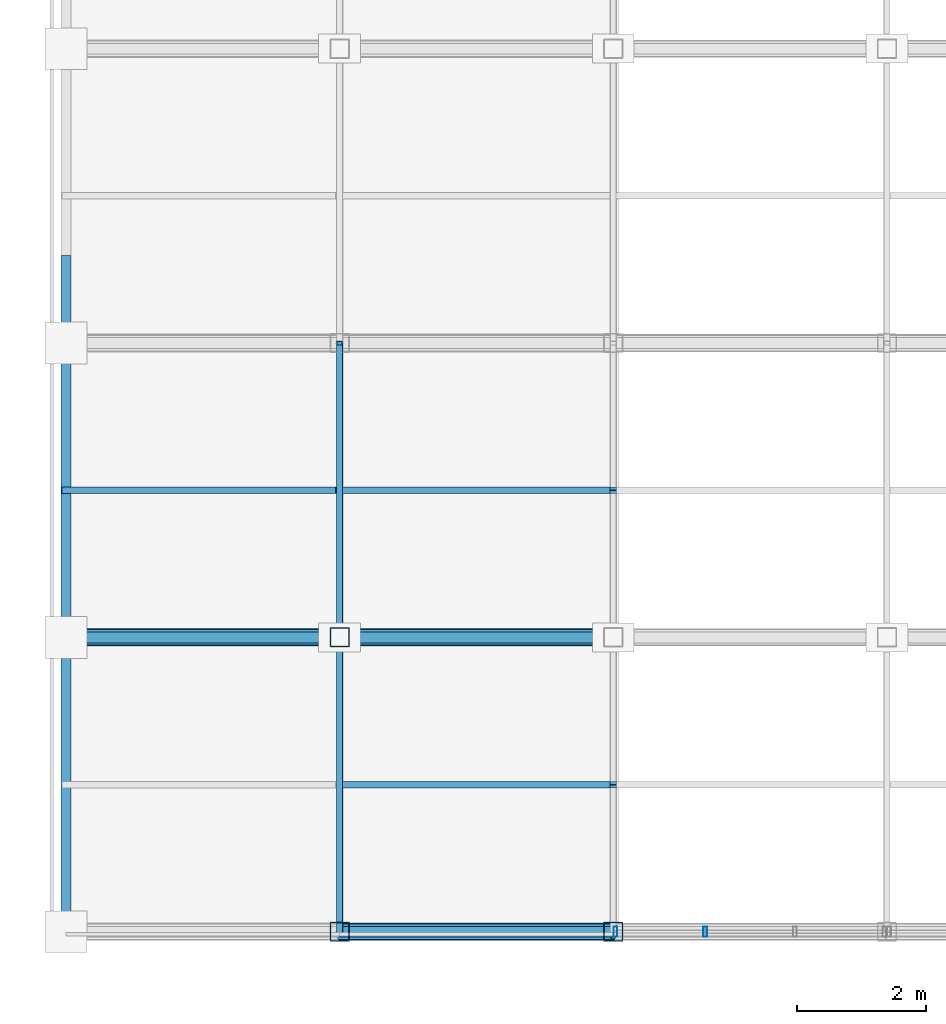
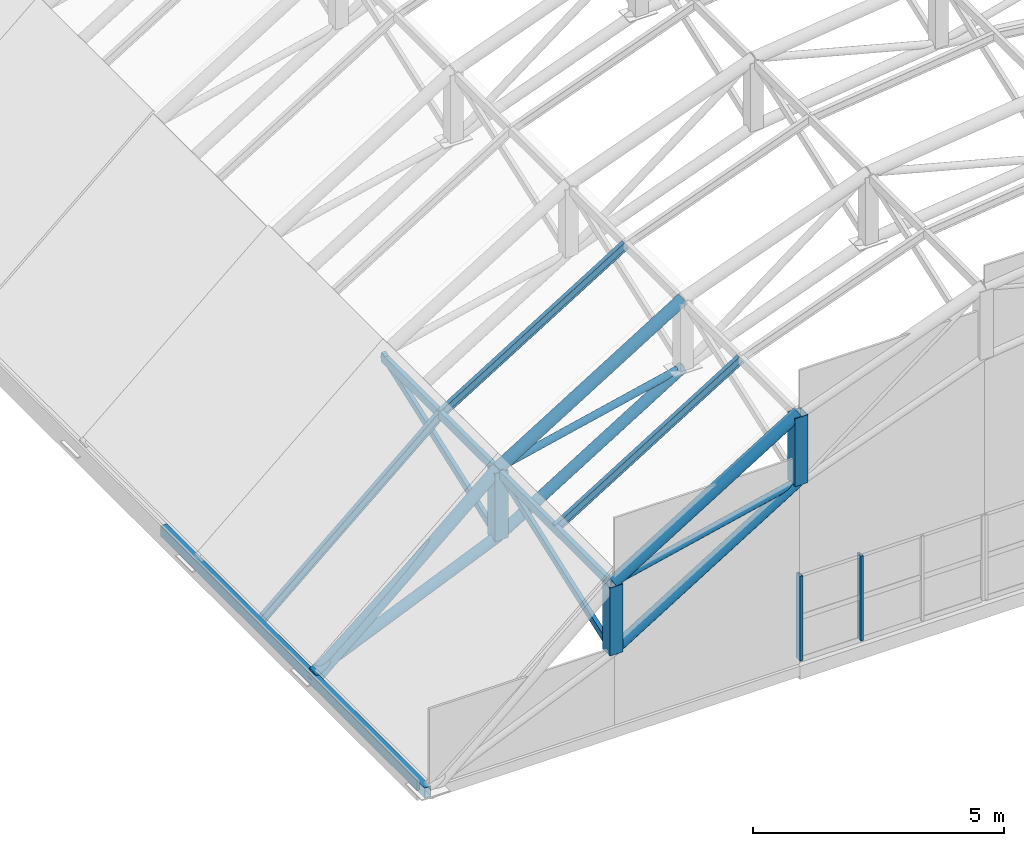
# One storey, part 8 of 86: 21 members, 1 beam, 1 element without a shape of its own.
"""IFC4 building model written with IfcOpenShell, lengths in metres."""

from ifc_helpers import new_model, si_unit, direction, frame, origin, origin_2d, place, context, subcontext, project, spatial, hollow_rectangle, hollow_circle, i_section, extrude, material, material_profile, profile_set, type_object, element, aggregate, save


model = new_model("IFC4")

# Units and contexts
model_context = context("Model", 3, precision=1e-05, world=origin(), true_north=direction((0.0, 1.0)))
body_context = subcontext(model_context, "Body", "Model", "MODEL_VIEW")
ifc_project = project(units=[si_unit("LENGTHUNIT", "METRE"), si_unit("AREAUNIT", "SQUARE_METRE"), si_unit("VOLUMEUNIT", "CUBIC_METRE"), si_unit("PLANEANGLEUNIT", "RADIAN"), si_unit("MASSUNIT", "GRAM", prefix="KILO")], contexts=[model_context])

# Site, building, storey
site_placement = place(None, origin())
site = spatial("IfcSite", under=ifc_project, at=site_placement, CompositionType="ELEMENT")
building_placement = place(site_placement, origin())
building = spatial("IfcBuilding", under=site, at=building_placement, Name="Solvikara Media Centre", CompositionType="ELEMENT")
storey_placement = place(building_placement, frame((0.0, 0.0, 15.0)))
storey = spatial("IfcBuildingStorey", under=building, at=storey_placement, Name="L03", CompositionType="ELEMENT", Elevation=15.0)

# Beam
ifc_material_1 = material(Name="Steel S355JR", Category="steel")
ifc_material_profile_1 = material_profile(ifc_material_1, hollow_rectangle(XDim=0.14990234375, YDim=0.25, WallThickness=0.008056640625, at=origin_2d()), Name="RHS 250x150x8")
ifc_profile_set_1 = profile_set([ifc_material_profile_1], Name="Steel S355JR")
beam_type = type_object("IfcBeamType", Name="BM-36", PredefinedType="JOIST", material=ifc_profile_set_1)
beam_placement = place(storey_placement, frame((0.0, 0.0, -0.22509765625), z_axis=(0.0, 1.0, 0.0), x_axis=(-1.0, 0.0, 0.0)))
element("IfcBeam", 1, at=beam_placement, inside=storey, type_object=beam_type, Name="B-L03-Y1222", PredefinedType="JOIST", context=body_context, shape_type="SweptSolid", body=[
    extrude(hollow_rectangle(XDim=0.14990234375, YDim=0.25, WallThickness=0.008056640625, at=origin_2d()), origin(), (0.0, 0.0, 1.0), 10.5),
])

# Members
ifc_material_profile_2 = material_profile(ifc_material_1, hollow_circle(Radius=0.136474609375, WallThickness=0.010009765625, at=origin_2d()), Name="CHS 273x10")
ifc_profile_set_2 = profile_set([ifc_material_profile_2], Name="Steel S355JR")
member_type_1 = type_object("IfcMemberType", Name="MB-03", PredefinedType="CHORD", material=ifc_profile_set_2)
member_1_placement = place(storey_placement, frame((4.25, 0.0, 3.3798828125), z_axis=(0.850797997359, 0.0, 0.525492880722), x_axis=(0.0, 1.0, 0.0)))
element("IfcMember", 2, at=member_1_placement, inside=storey, type_object=member_type_1, Name="Space Frame Vault Chord GC-TC-00-01", PredefinedType="CHORD", context=body_context, shape_type="SweptSolid", body=[
    extrude(hollow_circle(Radius=0.136474609375, WallThickness=0.010009765625, at=origin_2d()), origin(), (0.0, 0.0, 1.0), 4.995361328125),
])
member_2_placement = place(storey_placement, frame((0.0, 4.571044921875, -0.294921875), z_axis=(0.756439869263, 0.0, 0.654063241736), x_axis=(0.0, 1.0, 0.0)))
element("IfcMember", 3, at=member_2_placement, inside=storey, type_object=member_type_1, Name="Space Frame Vault Chord GC-TC-01-00", PredefinedType="CHORD", context=body_context, shape_type="SweptSolid", body=[
    extrude(hollow_circle(Radius=0.136474609375, WallThickness=0.010009765625, at=origin_2d()), origin(), (0.0, 0.0, 1.0), 5.618408203125),
])
member_3_placement = place(storey_placement, frame((4.25, 4.571044921875, 3.3798828125), z_axis=(0.850797997359, 0.0, 0.525492880722), x_axis=(0.0, 1.0, 0.0)))
element("IfcMember", 4, at=member_3_placement, inside=storey, type_object=member_type_1, Name="Space Frame Vault Chord GC-TC-01-01", PredefinedType="CHORD", context=body_context, shape_type="SweptSolid", body=[
    extrude(hollow_circle(Radius=0.136474609375, WallThickness=0.010009765625, at=origin_2d()), origin(), (0.0, 0.0, 1.0), 4.995361328125),
])
ifc_material_profile_3 = material_profile(ifc_material_1, hollow_circle(Radius=0.122314453125, WallThickness=0.010009765625, at=origin_2d()), Name="CHS 244.5x10")
ifc_profile_set_3 = profile_set([ifc_material_profile_3], Name="Steel S355JR")
member_type_2 = type_object("IfcMemberType", Name="MB-04", PredefinedType="CHORD", material=ifc_profile_set_3)
member_4_placement = place(storey_placement, frame((4.25, 0.0, 1.72998046875), z_axis=(0.850797997359, 0.0, 0.525492880722), x_axis=(0.0, 1.0, 0.0)))
element("IfcMember", 5, at=member_4_placement, inside=storey, type_object=member_type_2, Name="GC-BC-00-01", PredefinedType="CHORD", context=body_context, shape_type="SweptSolid", body=[
    extrude(hollow_circle(Radius=0.122314453125, WallThickness=0.010009765625, at=origin_2d()), origin(), (0.0, 0.0, 1.0), 4.995361328125),
])
member_5_placement = place(storey_placement, frame((0.0, 4.571044921875, -0.10009765625), z_axis=(0.918466874624, 0.0, 0.395497914303), x_axis=(0.0, 1.0, 0.0)))
element("IfcMember", 6, at=member_5_placement, inside=storey, type_object=member_type_2, Name="GC-BC-01-00", PredefinedType="CHORD", context=body_context, shape_type="SweptSolid", body=[
    extrude(hollow_circle(Radius=0.122314453125, WallThickness=0.010009765625, at=origin_2d()), origin(), (0.0, 0.0, 1.0), 4.627197265625),
])
member_6_placement = place(storey_placement, frame((4.25, 4.571044921875, 1.72998046875), z_axis=(0.850797997359, 0.0, 0.525492880722), x_axis=(0.0, 1.0, 0.0)))
element("IfcMember", 7, at=member_6_placement, inside=storey, type_object=member_type_2, Name="GC-BC-01-01", PredefinedType="CHORD", context=body_context, shape_type="SweptSolid", body=[
    extrude(hollow_circle(Radius=0.122314453125, WallThickness=0.010009765625, at=origin_2d()), origin(), (0.0, 0.0, 1.0), 4.995361328125),
])
ifc_material_profile_4 = material_profile(ifc_material_1, hollow_circle(Radius=0.084228515625, WallThickness=0.007080078125, at=origin_2d()), Name="CHS 168.3x7.1")
ifc_profile_set_4 = profile_set([ifc_material_profile_4], Name="Steel S355JR")
member_type_3 = type_object("IfcMemberType", Name="MB-07", PredefinedType="BRACE", material=ifc_profile_set_4)
member_7_placement = place(storey_placement, frame((4.25, 0.0, 3.3798828125), z_axis=(0.974675396372, 0.0, 0.223624398731), x_axis=(0.0, 1.0, 0.0)))
element("IfcMember", 8, at=member_7_placement, inside=storey, type_object=member_type_3, Name="GC-DG-00-01", PredefinedType="BRACE", context=body_context, shape_type="SweptSolid", body=[
    extrude(hollow_circle(Radius=0.084228515625, WallThickness=0.007080078125, at=origin_2d()), origin(), (0.0, 0.0, 1.0), 4.3603515625),
])
member_8_placement = place(storey_placement, frame((0.0, 4.571044921875, -0.10009765625), z_axis=(0.773715650361, 0.0, 0.633533023911), x_axis=(0.0, 1.0, 0.0)))
element("IfcMember", 9, at=member_8_placement, inside=storey, type_object=member_type_3, Name="GC-DG-01-00", PredefinedType="BRACE", context=body_context, shape_type="SweptSolid", body=[
    extrude(hollow_circle(Radius=0.084228515625, WallThickness=0.007080078125, at=origin_2d()), origin(), (0.0, 0.0, 1.0), 5.492919921875),
])
member_9_placement = place(storey_placement, frame((4.25, 4.571044921875, 3.3798828125), z_axis=(0.974675396372, 0.0, 0.223624398731), x_axis=(0.0, 1.0, 0.0)))
element("IfcMember", 10, at=member_9_placement, inside=storey, type_object=member_type_3, Name="GC-DG-01-01", PredefinedType="BRACE", context=body_context, shape_type="SweptSolid", body=[
    extrude(hollow_circle(Radius=0.084228515625, WallThickness=0.007080078125, at=origin_2d()), origin(), (0.0, 0.0, 1.0), 4.3603515625),
])
ifc_material_profile_5 = material_profile(ifc_material_1, hollow_rectangle(XDim=0.300048828125, YDim=0.300048828125, WallThickness=0.012451171875, at=origin_2d()), Name="RHS 300x300x12.5")
ifc_profile_set_5 = profile_set([ifc_material_profile_5], Name="Steel S355JR")
member_type_4 = type_object("IfcMemberType", Name="MB-11", PredefinedType="CHORD", material=ifc_profile_set_5)
for number, where, z_axis, x_axis, name in (
    (11, (4.25, 0.0, 1.72998046875), (0.0, 0.0, 1.0), (1.0, 0.0, 0.0), "GC-VT-00-01"),
    (12, (8.5, 0.0, 4.35498046875), (0.0, 0.0, 1.0), (1.0, 0.0, 0.0), "GC-VT-00-02"),
    (13, (4.25, 4.571044921875, 1.72998046875), (0.0, 0.0, 1.0), (1.0, 0.0, 0.0), "GC-VT-01-01"),
):
    element("IfcMember", number, at=place(storey_placement, frame(where, z_axis=z_axis, x_axis=x_axis)), inside=storey, type_object=member_type_4, Name=name, PredefinedType="CHORD", context=body_context, shape_type="SweptSolid", body=[
        extrude(hollow_rectangle(XDim=0.300048828125, YDim=0.300048828125, WallThickness=0.012451171875, at=origin_2d()), origin(), (0.0, 0.0, 1.0), 1.64990234375),
    ])
ifc_material_profile_6 = material_profile(ifc_material_1, hollow_rectangle(XDim=0.10009765625, YDim=0.199951171875, WallThickness=0.00634765625, at=origin_2d()), Name="RHS 200x100x6.3")
ifc_profile_set_6 = profile_set([ifc_material_profile_6], Name="Steel S355JR")
member_type_5 = type_object("IfcMemberType", Name="MB-17", PredefinedType="PURLIN", material=ifc_profile_set_6)
member_10_placement = place(storey_placement, frame((4.25, 0.0, 3.31494140625), z_axis=(0.0, 1.0, 0.0), x_axis=(-1.0, 0.0, 0.0)))
element("IfcMember", 14, at=member_10_placement, inside=storey, type_object=member_type_5, Name="GC-PRL-00-01", PredefinedType="PURLIN", context=body_context, shape_type="SweptSolid", body=[
    extrude(hollow_rectangle(XDim=0.10009765625, YDim=0.199951171875, WallThickness=0.00634765625, at=origin_2d()), origin(), (0.0, 0.0, 1.0), 4.571044921875),
])
member_11_placement = place(storey_placement, frame((4.25, 4.571044921875, 3.31494140625), z_axis=(0.0, 1.0, 0.0), x_axis=(-1.0, 0.0, 0.0)))
element("IfcMember", 15, at=member_11_placement, inside=storey, type_object=member_type_5, Name="GC-PRL-01-01", PredefinedType="PURLIN", context=body_context, shape_type="SweptSolid", body=[
    extrude(hollow_rectangle(XDim=0.10009765625, YDim=0.199951171875, WallThickness=0.00634765625, at=origin_2d()), origin(), (0.0, 0.0, 1.0), 4.572021484375),
])
ifc_material_profile_7 = material_profile(ifc_material_1, i_section(OverallWidth=0.10009765625, OverallDepth=0.199951171875, WebThickness=0.005615234375, FlangeThickness=0.008056640625, at=origin_2d()), Name="WF 200x100x5.5x8")
ifc_profile_set_7 = profile_set([ifc_material_profile_7], Name="Steel S355JR")
member_type_6 = type_object("IfcMemberType", Name="MB-21", PredefinedType="PURLIN", material=ifc_profile_set_7)
member_12_placement = place(storey_placement, frame((4.25, 2.284912109375, 3.31494140625), z_axis=(0.850797997359, 0.0, 0.525492880722), x_axis=(0.0, 1.0, 0.0)))
element("IfcMember", 16, at=member_12_placement, inside=storey, type_object=member_type_6, Name="GC-SUB-00-01", PredefinedType="PURLIN", context=body_context, shape_type="SweptSolid", body=[
    extrude(i_section(OverallWidth=0.10009765625, OverallDepth=0.199951171875, WebThickness=0.005615234375, FlangeThickness=0.008056640625, at=origin_2d()), origin(), (0.0, 0.0, 1.0), 4.995361328125),
])
member_13_placement = place(storey_placement, frame((0.0, 6.85693359375, -0.360107421875), z_axis=(0.756418370394, 0.0, 0.654088104868), x_axis=(0.0, 1.0, 0.0)))
element("IfcMember", 17, at=member_13_placement, inside=storey, type_object=member_type_6, Name="GC-SUB-01-00", PredefinedType="PURLIN", context=body_context, shape_type="SweptSolid", body=[
    extrude(i_section(OverallWidth=0.10009765625, OverallDepth=0.199951171875, WebThickness=0.005615234375, FlangeThickness=0.008056640625, at=origin_2d()), origin(), (0.0, 0.0, 1.0), 5.61865234375),
])
member_14_placement = place(storey_placement, frame((4.25, 6.85693359375, 3.31494140625), z_axis=(0.850797997359, 0.0, 0.525492880722), x_axis=(0.0, 1.0, 0.0)))
element("IfcMember", 18, at=member_14_placement, inside=storey, type_object=member_type_6, Name="GC-SUB-01-01", PredefinedType="PURLIN", context=body_context, shape_type="SweptSolid", body=[
    extrude(i_section(OverallWidth=0.10009765625, OverallDepth=0.199951171875, WebThickness=0.005615234375, FlangeThickness=0.008056640625, at=origin_2d()), origin(), (0.0, 0.0, 1.0), 4.995361328125),
])
ifc_material_profile_8 = material_profile(ifc_material_1, hollow_rectangle(XDim=0.090087890625, YDim=0.169921875, WallThickness=0.0048828125, at=origin_2d()), Name="RHS 170x90x5")
ifc_profile_set_8 = profile_set([ifc_material_profile_8], Name="Steel S355JR")
member_type_7 = type_object("IfcMemberType", Name="MB-26", PredefinedType="PURLIN", material=ifc_profile_set_8)
member_15_placement = place(storey_placement, frame((4.25, 0.0, 1.72998046875), z_axis=(0.0, 0.94060337314, 0.339507429134), x_axis=(-1.0, 0.0, 0.0)))
element("IfcMember", 19, at=member_15_placement, inside=storey, type_object=member_type_7, Name="GC-3D-00-01", PredefinedType="PURLIN", context=body_context, shape_type="SweptSolid", body=[
    extrude(hollow_rectangle(XDim=0.090087890625, YDim=0.169921875, WallThickness=0.0048828125, at=origin_2d()), origin(), (0.0, 0.0, 1.0), 4.859619140625),
])
member_16_placement = place(storey_placement, frame((4.25, 4.571044921875, 1.72998046875), z_axis=(0.0, 0.9406265293, 0.339443268276), x_axis=(-1.0, 0.0, 0.0)))
element("IfcMember", 20, at=member_16_placement, inside=storey, type_object=member_type_7, Name="GC-3D-01-01", PredefinedType="PURLIN", context=body_context, shape_type="SweptSolid", body=[
    extrude(hollow_rectangle(XDim=0.090087890625, YDim=0.169921875, WallThickness=0.0048828125, at=origin_2d()), origin(), (0.0, 0.0, 1.0), 4.860595703125),
])

# Curtain wall, members
ifc_material_2 = material(Name="Anodised aluminium EN AW-6063", Category="aluminium")
curtain_wall_type = type_object("IfcCurtainWallType", Name="CW-07", PredefinedType="NOTDEFINED", material=ifc_material_2)
curtain_wall_placement = place(storey_placement, origin())
curtain_wall = element("IfcCurtainWall", 21, at=curtain_wall_placement, inside=storey, type_object=curtain_wall_type, Name="CW-GC-CLR-02", PredefinedType="NOTDEFINED")
ifc_material_profile_9 = material_profile(ifc_material_2, hollow_rectangle(XDim=0.06005859375, YDim=0.159912109375, WallThickness=0.00341796875, at=origin_2d()), Name="ALU-M 60x160x3.5")
ifc_profile_set_9 = profile_set([ifc_material_profile_9], Name="Anodised aluminium EN AW-6063")
member_type_8 = type_object("IfcMemberType", Name="MF-04", PredefinedType="MULLION", material=ifc_profile_set_9)
member_17_placement = place(storey_placement, frame((8.534912109375, 0.0, 0.02001953125), z_axis=(0.0, 0.0, 1.0), x_axis=(1.0, 0.0, 0.0)))
member_17 = element("IfcMember", 22, at=member_17_placement, type_object=member_type_8, Name="CW-GC-CLR-02-M00", PredefinedType="MULLION", context=body_context, shape_type="SweptSolid", body=[
    extrude(hollow_rectangle(XDim=0.06005859375, YDim=0.159912109375, WallThickness=0.00341796875, at=origin_2d()), origin(), (0.0, 0.0, 1.0), 2.06005859375),
])
member_18_placement = place(storey_placement, frame((9.927978515625, 0.0, 0.02001953125), z_axis=(0.0, 0.0, 1.0), x_axis=(1.0, 0.0, 0.0)))
member_18 = element("IfcMember", 23, at=member_18_placement, type_object=member_type_8, Name="CW-GC-CLR-02-M01", PredefinedType="MULLION", context=body_context, shape_type="SweptSolid", body=[
    extrude(hollow_rectangle(XDim=0.06005859375, YDim=0.159912109375, WallThickness=0.00341796875, at=origin_2d()), origin(), (0.0, 0.0, 1.0), 2.06005859375),
])
aggregate(curtain_wall, [member_17, member_18])

save(model, "model.ifc")
